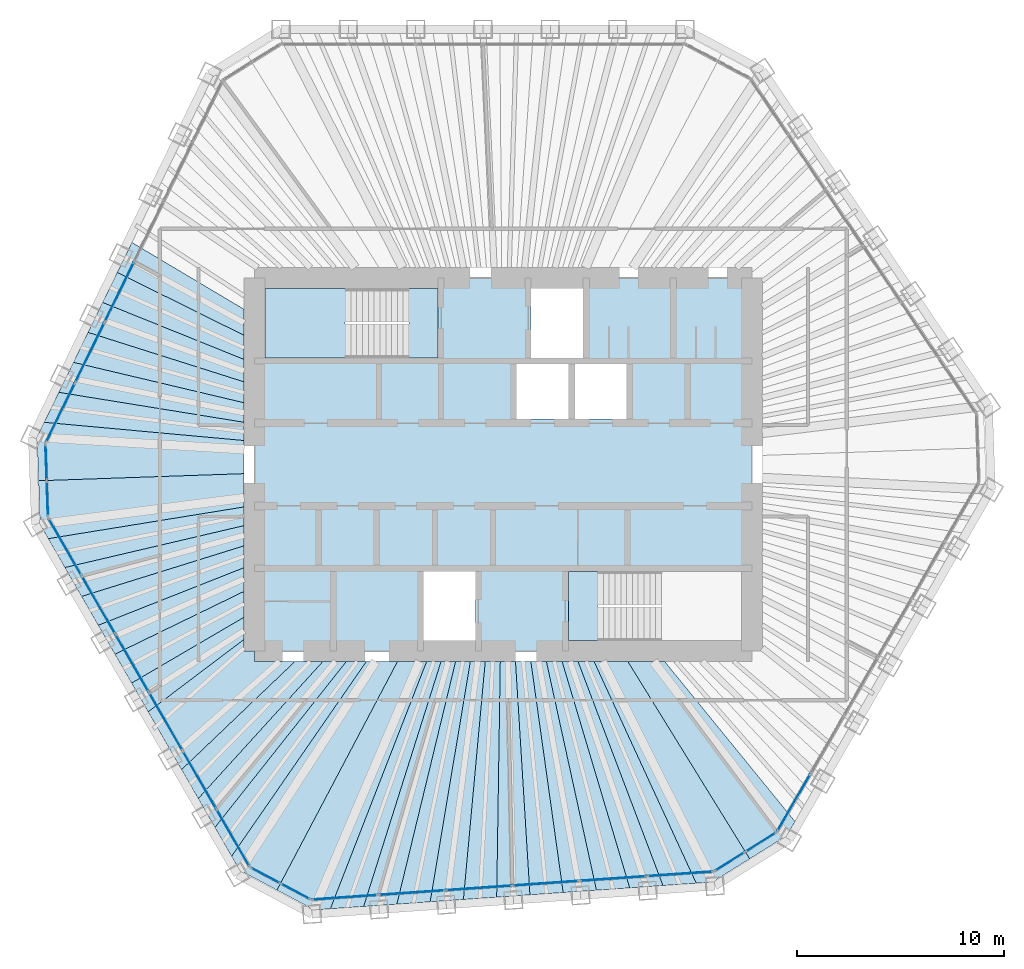
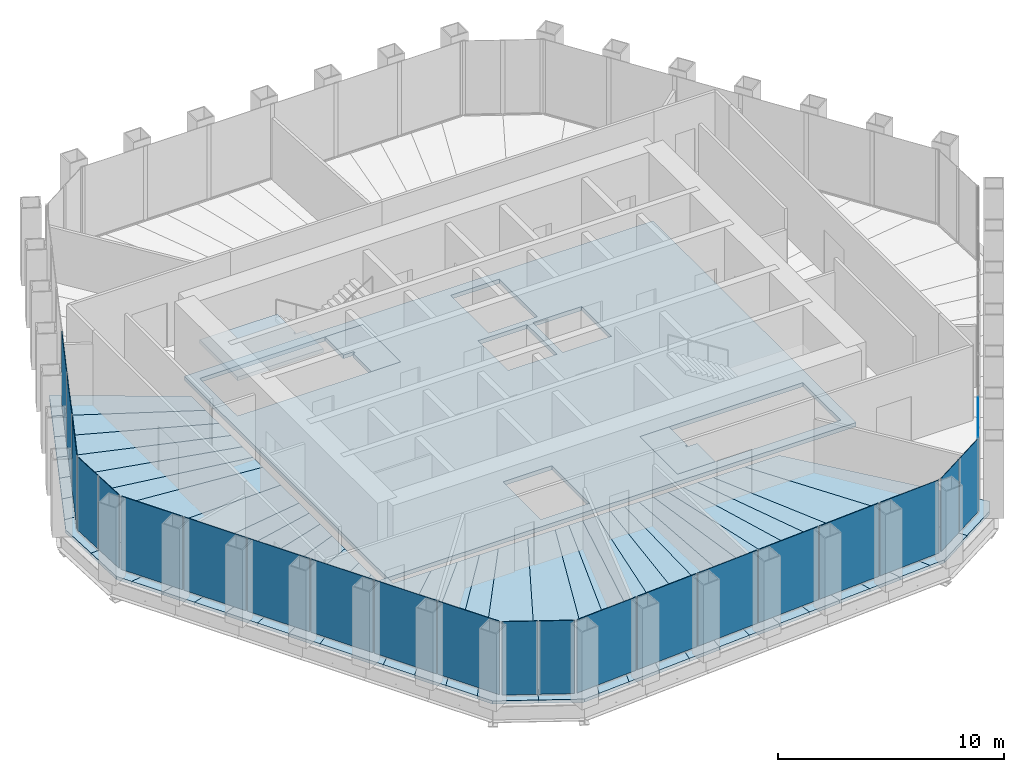
# One storey, part 9 of 14: 37 slabs, 22 plates, 9 elements without a shape of their own.
"""IFC4 building model written with IfcOpenShell, lengths in metres."""

from ifc_helpers import new_model, si_unit, direction, frame, origin, origin_2d, place, context, subcontext, project, spatial, polyline, rectangle, outline, extrude, material, layer, layer_set, type_object, element, aggregate, save


model = new_model("IFC4")

# Units and contexts
model_context = context("Model", 3, precision=1e-05, world=origin(), true_north=direction((0.0, 1.0)))
body_context = subcontext(model_context, "Body", "Model", "MODEL_VIEW")
ifc_project = project(units=[si_unit("LENGTHUNIT", "METRE"), si_unit("AREAUNIT", "SQUARE_METRE"), si_unit("VOLUMEUNIT", "CUBIC_METRE"), si_unit("PLANEANGLEUNIT", "RADIAN"), si_unit("MASSUNIT", "GRAM", prefix="KILO")], contexts=[model_context])

# Site, building, storey
site_placement = place(None, origin())
site = spatial("IfcSite", under=ifc_project, at=site_placement, CompositionType="ELEMENT")
building_placement = place(site_placement, origin())
building = spatial("IfcBuilding", under=site, at=building_placement, Name="Qingtian Harvest Tower", CompositionType="ELEMENT")
storey_placement = place(building_placement, frame((0.0, 0.0, 291.39990234375)))
storey = spatial("IfcBuildingStorey", under=building, at=storey_placement, Name="L64", CompositionType="ELEMENT", Elevation=291.39990234375)

# Slabs
ifc_material_1 = material(Name="Concrete fc' 35 MPa", Category="concrete")
ifc_layer_1 = layer(ifc_material_1, 0.169921875)
ifc_layer_set_1 = layer_set([ifc_layer_1], Name="Composite floor slab FS17 170")
slab_type_1 = type_object("IfcSlabType", Name="Composite floor slab FS17 170", PredefinedType="FLOOR", material=ifc_layer_set_1)
slab_1_placement = place(storey_placement, frame((0.0, 0.0, -0.169921875)))
element("IfcSlab", 1, at=slab_1_placement, inside=storey, type_object=slab_type_1, Name="Floor slab L64 panel D01", PredefinedType="FLOOR", context=body_context, shape_type="SweptSolid", body=[
    extrude(outline(polyline([(-22.422607421875, -0.783203125), (-12.5, -0.4404296875), (-12.5, -2.044921875), (-21.95751953125, -3.578369140625), (-22.348876953125, -2.90087890625), (-22.422607421875, -0.783203125)])), origin(), (0.0, 0.0, 1.0), 0.169921875),
])
slab_2_placement = place(storey_placement, frame((0.0, 0.0, -0.169921875)))
element("IfcSlab", 2, at=slab_2_placement, inside=storey, type_object=slab_type_1, Name="Floor slab L64 panel D02", PredefinedType="FLOOR", context=body_context, shape_type="SweptSolid", body=[
    extrude(outline(polyline([(-12.5, -2.94677734375), (-21.153076171875, -4.9716796875), (-21.95751953125, -3.578369140625), (-12.5, -2.044921875), (-12.5, -2.94677734375)])), origin(), (0.0, 0.0, 1.0), 0.169921875),
])
slab_3_placement = place(storey_placement, frame((0.0, 0.0, -0.169921875)))
element("IfcSlab", 3, at=slab_3_placement, inside=storey, type_object=slab_type_1, Name="Floor slab L64 panel D03", PredefinedType="FLOOR", context=body_context, shape_type="SweptSolid", body=[
    extrude(outline(polyline([(-12.5, -3.919921875), (-20.3486328125, -6.365234375), (-21.153076171875, -4.9716796875), (-12.5, -2.94677734375), (-12.5, -3.919921875)])), origin(), (0.0, 0.0, 1.0), 0.169921875),
])
slab_4_placement = place(storey_placement, frame((0.0, 0.0, -0.169921875)))
element("IfcSlab", 4, at=slab_4_placement, inside=storey, type_object=slab_type_1, Name="Floor slab L64 panel D04", PredefinedType="FLOOR", context=body_context, shape_type="SweptSolid", body=[
    extrude(outline(polyline([(-12.5, -4.973388671875), (-19.544189453125, -7.758544921875), (-20.3486328125, -6.365234375), (-12.5, -3.919921875), (-12.5, -4.973388671875)])), origin(), (0.0, 0.0, 1.0), 0.169921875),
])
slab_5_placement = place(storey_placement, frame((0.0, 0.0, -0.169921875)))
element("IfcSlab", 5, at=slab_5_placement, inside=storey, type_object=slab_type_1, Name="Floor slab L64 panel D05", PredefinedType="FLOOR", context=body_context, shape_type="SweptSolid", body=[
    extrude(outline(polyline([(-12.5, -6.1171875), (-18.73974609375, -9.15185546875), (-19.544189453125, -7.758544921875), (-12.5, -4.973388671875), (-12.5, -6.1171875)])), origin(), (0.0, 0.0, 1.0), 0.169921875),
])
slab_6_placement = place(storey_placement, frame((0.0, 0.0, -0.169921875)))
element("IfcSlab", 6, at=slab_6_placement, inside=storey, type_object=slab_type_1, Name="Floor slab L64 panel D06", PredefinedType="FLOOR", context=body_context, shape_type="SweptSolid", body=[
    extrude(outline(polyline([(-12.5, -7.364013671875), (-17.93505859375, -10.54541015625), (-18.73974609375, -9.15185546875), (-12.5, -6.1171875), (-12.5, -7.364013671875)])), origin(), (0.0, 0.0, 1.0), 0.169921875),
])
slab_7_placement = place(storey_placement, frame((0.0, 0.0, -0.169921875)))
element("IfcSlab", 7, at=slab_7_placement, inside=storey, type_object=slab_type_1, Name="Floor slab L64 panel D07", PredefinedType="FLOOR", context=body_context, shape_type="SweptSolid", body=[
    extrude(outline(polyline([(-12.5, -8.432373046875), (-17.134521484375, -11.931884765625), (-17.93505859375, -10.54541015625), (-12.5, -7.364013671875), (-12.5, -8.432373046875)])), origin(), (0.0, 0.0, 1.0), 0.169921875),
])
slab_8_placement = place(storey_placement, frame((0.0, 0.0, -0.169921875)))
element("IfcSlab", 8, at=slab_8_placement, inside=storey, type_object=slab_type_1, Name="Floor slab L64 panel D09", PredefinedType="FLOOR", context=body_context, shape_type="SweptSolid", body=[
    extrude(outline(polyline([(-15.522216796875, -14.724609375), (-17.134521484375, -11.931884765625), (-12.5, -8.432373046875), (-12.5, -9.0), (-12.0, -9.0), (-12.0, -9.5), (-10.048828125, -9.5), (-15.522216796875, -14.724609375)])), origin(), (0.0, 0.0, 1.0), 0.169921875),
])
slab_9_placement = place(storey_placement, frame((0.0, 0.0, -0.169921875)))
element("IfcSlab", 9, at=slab_9_placement, inside=storey, type_object=slab_type_1, Name="Floor slab L64 panel D10", PredefinedType="FLOOR", context=body_context, shape_type="SweptSolid", body=[
    extrude(outline(polyline([(-8.70068359375, -9.5), (-14.7177734375, -16.1181640625), (-15.522216796875, -14.724609375), (-10.048828125, -9.5), (-8.70068359375, -9.5)])), origin(), (0.0, 0.0, 1.0), 0.169921875),
])
slab_10_placement = place(storey_placement, frame((0.0, 0.0, -0.169921875)))
element("IfcSlab", 10, at=slab_10_placement, inside=storey, type_object=slab_type_1, Name="Floor slab L64 panel D11", PredefinedType="FLOOR", context=body_context, shape_type="SweptSolid", body=[
    extrude(outline(polyline([(-7.568359375, -9.5), (-13.9130859375, -17.51171875), (-14.7177734375, -16.1181640625), (-8.70068359375, -9.5), (-7.568359375, -9.5)])), origin(), (0.0, 0.0, 1.0), 0.169921875),
])
slab_11_placement = place(storey_placement, frame((0.0, 0.0, -0.169921875)))
element("IfcSlab", 11, at=slab_11_placement, inside=storey, type_object=slab_type_1, Name="Floor slab L64 panel D12", PredefinedType="FLOOR", context=body_context, shape_type="SweptSolid", body=[
    extrude(outline(polyline([(-6.603515625, -9.5), (-13.108642578125, -18.905029296875), (-13.9130859375, -17.51171875), (-7.568359375, -9.5), (-6.603515625, -9.5)])), origin(), (0.0, 0.0, 1.0), 0.169921875),
])
slab_12_placement = place(storey_placement, frame((0.0, 0.0, -0.169921875)))
element("IfcSlab", 12, at=slab_12_placement, inside=storey, type_object=slab_type_1, Name="Floor slab L64 panel D13", PredefinedType="FLOOR", context=body_context, shape_type="SweptSolid", body=[
    extrude(outline(polyline([(-6.603515625, -9.5), (-5.10009765625, -9.5), (-10.921142578125, -20.537841796875), (-12.717529296875, -19.582763671875), (-13.108642578125, -18.905029296875), (-6.603515625, -9.5)])), origin(), (0.0, 0.0, 1.0), 0.169921875),
])
slab_13_placement = place(storey_placement, frame((0.0, 0.0, -0.169921875)))
element("IfcSlab", 13, at=slab_13_placement, inside=storey, type_object=slab_type_1, Name="Floor slab L64 panel D14", PredefinedType="FLOOR", context=body_context, shape_type="SweptSolid", body=[
    extrude(outline(polyline([(-5.10009765625, -9.5), (-3.696044921875, -9.5), (-8.343017578125, -21.439208984375), (-9.123291015625, -21.49365234375), (-10.921142578125, -20.537841796875), (-5.10009765625, -9.5)])), origin(), (0.0, 0.0, 1.0), 0.169921875),
])
slab_14_placement = place(storey_placement, frame((0.0, 0.0, -0.169921875)))
element("IfcSlab", 14, at=slab_14_placement, inside=storey, type_object=slab_type_1, Name="Floor slab L64 panel D15", PredefinedType="FLOOR", context=body_context, shape_type="SweptSolid", body=[
    extrude(outline(polyline([(-3.00048828125, -9.5), (-6.738037109375, -21.326904296875), (-8.343017578125, -21.439208984375), (-3.696044921875, -9.5), (-3.00048828125, -9.5)])), origin(), (0.0, 0.0, 1.0), 0.169921875),
])
slab_15_placement = place(storey_placement, frame((0.0, 0.0, -0.169921875)))
element("IfcSlab", 15, at=slab_15_placement, inside=storey, type_object=slab_type_1, Name="Floor slab L64 panel D16", PredefinedType="FLOOR", context=body_context, shape_type="SweptSolid", body=[
    extrude(outline(polyline([(-2.297607421875, -9.5), (-5.133056640625, -21.21484375), (-6.738037109375, -21.326904296875), (-3.00048828125, -9.5), (-2.297607421875, -9.5)])), origin(), (0.0, 0.0, 1.0), 0.169921875),
])
slab_16_placement = place(storey_placement, frame((0.0, 0.0, -0.169921875)))
element("IfcSlab", 16, at=slab_16_placement, inside=storey, type_object=slab_type_1, Name="Floor slab L64 panel D17", PredefinedType="FLOOR", context=body_context, shape_type="SweptSolid", body=[
    extrude(outline(polyline([(-1.58740234375, -9.5), (-3.528076171875, -21.1025390625), (-5.133056640625, -21.21484375), (-2.297607421875, -9.5), (-1.58740234375, -9.5)])), origin(), (0.0, 0.0, 1.0), 0.169921875),
])
slab_17_placement = place(storey_placement, frame((0.0, 0.0, -0.169921875)))
element("IfcSlab", 17, at=slab_17_placement, inside=storey, type_object=slab_type_1, Name="Floor slab L64 panel D18", PredefinedType="FLOOR", context=body_context, shape_type="SweptSolid", body=[
    extrude(outline(polyline([(-0.869384765625, -9.5), (-1.9228515625, -20.990234375), (-3.528076171875, -21.1025390625), (-1.58740234375, -9.5), (-0.869384765625, -9.5)])), origin(), (0.0, 0.0, 1.0), 0.169921875),
])
slab_18_placement = place(storey_placement, frame((0.0, 0.0, -0.169921875)))
element("IfcSlab", 18, at=slab_18_placement, inside=storey, type_object=slab_type_1, Name="Floor slab L64 panel D19", PredefinedType="FLOOR", context=body_context, shape_type="SweptSolid", body=[
    extrude(outline(polyline([(-0.143798828125, -9.5), (-0.31787109375, -20.8779296875), (-1.9228515625, -20.990234375), (-0.869384765625, -9.5), (-0.143798828125, -9.5)])), origin(), (0.0, 0.0, 1.0), 0.169921875),
])
slab_19_placement = place(storey_placement, frame((0.0, 0.0, -0.169921875)))
element("IfcSlab", 19, at=slab_19_placement, inside=storey, type_object=slab_type_1, Name="Floor slab L64 panel D20", PredefinedType="FLOOR", context=body_context, shape_type="SweptSolid", body=[
    extrude(outline(polyline([(0.58984375, -9.5), (1.287109375, -20.765869140625), (-0.31787109375, -20.8779296875), (-0.143798828125, -9.5), (0.58984375, -9.5)])), origin(), (0.0, 0.0, 1.0), 0.169921875),
])
slab_20_placement = place(storey_placement, frame((0.0, 0.0, -0.169921875)))
element("IfcSlab", 20, at=slab_20_placement, inside=storey, type_object=slab_type_1, Name="Floor slab L64 panel D21", PredefinedType="FLOOR", context=body_context, shape_type="SweptSolid", body=[
    extrude(outline(polyline([(1.331298828125, -9.5), (2.89208984375, -20.653564453125), (1.287109375, -20.765869140625), (0.58984375, -9.5), (1.331298828125, -9.5)])), origin(), (0.0, 0.0, 1.0), 0.169921875),
])
slab_21_placement = place(storey_placement, frame((0.0, 0.0, -0.169921875)))
element("IfcSlab", 21, at=slab_21_placement, inside=storey, type_object=slab_type_1, Name="Floor slab L64 panel D22", PredefinedType="FLOOR", context=body_context, shape_type="SweptSolid", body=[
    extrude(outline(polyline([(2.080810546875, -9.5), (4.4970703125, -20.541259765625), (2.89208984375, -20.653564453125), (1.331298828125, -9.5), (2.080810546875, -9.5)])), origin(), (0.0, 0.0, 1.0), 0.169921875),
])
slab_22_placement = place(storey_placement, frame((0.0, 0.0, -0.169921875)))
element("IfcSlab", 22, at=slab_22_placement, inside=storey, type_object=slab_type_1, Name="Floor slab L64 panel D23", PredefinedType="FLOOR", context=body_context, shape_type="SweptSolid", body=[
    extrude(outline(polyline([(2.838623046875, -9.5), (6.10205078125, -20.42919921875), (4.4970703125, -20.541259765625), (2.080810546875, -9.5), (2.838623046875, -9.5)])), origin(), (0.0, 0.0, 1.0), 0.169921875),
])
slab_23_placement = place(storey_placement, frame((0.0, 0.0, -0.169921875)))
element("IfcSlab", 23, at=slab_23_placement, inside=storey, type_object=slab_type_1, Name="Floor slab L64 panel D24", PredefinedType="FLOOR", context=body_context, shape_type="SweptSolid", body=[
    extrude(outline(polyline([(3.604736328125, -9.5), (7.70703125, -20.31689453125), (6.10205078125, -20.42919921875), (2.838623046875, -9.5), (3.604736328125, -9.5)])), origin(), (0.0, 0.0, 1.0), 0.169921875),
])
slab_24_placement = place(storey_placement, frame((0.0, 0.0, -0.169921875)))
element("IfcSlab", 24, at=slab_24_placement, inside=storey, type_object=slab_type_1, Name="Floor slab L64 panel D25", PredefinedType="FLOOR", context=body_context, shape_type="SweptSolid", body=[
    extrude(outline(polyline([(4.379638671875, -9.5), (9.312255859375, -20.20458984375), (7.70703125, -20.31689453125), (3.604736328125, -9.5), (4.379638671875, -9.5)])), origin(), (0.0, 0.0, 1.0), 0.169921875),
])
slab_25_placement = place(storey_placement, frame((0.0, 0.0, -0.169921875)))
element("IfcSlab", 25, at=slab_25_placement, inside=storey, type_object=slab_type_1, Name="Floor slab L64 panel D26", PredefinedType="FLOOR", context=body_context, shape_type="SweptSolid", body=[
    extrude(outline(polyline([(4.379638671875, -9.5), (6.0087890625, -9.5), (11.890380859375, -19.026611328125), (10.09228515625, -20.150146484375), (9.312255859375, -20.20458984375), (4.379638671875, -9.5)])), origin(), (0.0, 0.0, 1.0), 0.169921875),
])
slab_26_placement = place(storey_placement, frame((0.0, 0.0, -0.169921875)))
element("IfcSlab", 26, at=slab_26_placement, inside=storey, type_object=slab_type_1, Name="Floor slab L64 panel D27", PredefinedType="FLOOR", context=body_context, shape_type="SweptSolid", body=[
    extrude(outline(polyline([(6.0087890625, -9.5), (7.78515625, -9.5), (14.077880859375, -17.2265625), (13.6865234375, -17.904296875), (11.890380859375, -19.026611328125), (6.0087890625, -9.5)])), origin(), (0.0, 0.0, 1.0), 0.169921875),
])
slab_27_placement = place(storey_placement, frame((0.0, 0.0, -0.169921875)))
element("IfcSlab", 27, at=slab_27_placement, inside=storey, type_object=slab_type_1, Name="Floor slab L64 panel D72", PredefinedType="FLOOR", context=body_context, shape_type="SweptSolid", body=[
    extrude(outline(polyline([(-12.5, 6.23095703125), (-18.627197265625, 9.2685546875), (-17.921875, 10.714599609375), (-12.5, 7.48583984375), (-12.5, 6.23095703125)])), origin(), (0.0, 0.0, 1.0), 0.169921875),
])
slab_28_placement = place(storey_placement, frame((0.0, 0.0, -0.169921875)))
element("IfcSlab", 28, at=slab_28_placement, inside=storey, type_object=slab_type_1, Name="Floor slab L64 panel D73", PredefinedType="FLOOR", context=body_context, shape_type="SweptSolid", body=[
    extrude(outline(polyline([(-12.5, 5.06787109375), (-19.33251953125, 7.822509765625), (-18.627197265625, 9.2685546875), (-12.5, 6.23095703125), (-12.5, 5.06787109375)])), origin(), (0.0, 0.0, 1.0), 0.169921875),
])
slab_29_placement = place(storey_placement, frame((0.0, 0.0, -0.169921875)))
element("IfcSlab", 29, at=slab_29_placement, inside=storey, type_object=slab_type_1, Name="Floor slab L64 panel D74", PredefinedType="FLOOR", context=body_context, shape_type="SweptSolid", body=[
    extrude(outline(polyline([(-12.5, 3.986572265625), (-20.037841796875, 6.376220703125), (-19.33251953125, 7.822509765625), (-12.5, 5.06787109375), (-12.5, 3.986572265625)])), origin(), (0.0, 0.0, 1.0), 0.169921875),
])
slab_30_placement = place(storey_placement, frame((0.0, 0.0, -0.169921875)))
element("IfcSlab", 30, at=slab_30_placement, inside=storey, type_object=slab_type_1, Name="Floor slab L64 panel D75", PredefinedType="FLOOR", context=body_context, shape_type="SweptSolid", body=[
    extrude(outline(polyline([(-12.5, 2.97900390625), (-20.7431640625, 4.93017578125), (-20.037841796875, 6.376220703125), (-12.5, 3.986572265625), (-12.5, 2.97900390625)])), origin(), (0.0, 0.0, 1.0), 0.169921875),
])
slab_31_placement = place(storey_placement, frame((0.0, 0.0, -0.169921875)))
element("IfcSlab", 31, at=slab_31_placement, inside=storey, type_object=slab_type_1, Name="Floor slab L64 panel D76", PredefinedType="FLOOR", context=body_context, shape_type="SweptSolid", body=[
    extrude(outline(polyline([(-12.5, 2.037841796875), (-21.448486328125, 3.484130859375), (-20.7431640625, 4.93017578125), (-12.5, 2.97900390625), (-12.5, 2.037841796875)])), origin(), (0.0, 0.0, 1.0), 0.169921875),
])
slab_32_placement = place(storey_placement, frame((0.0, 0.0, -0.169921875)))
element("IfcSlab", 32, at=slab_32_placement, inside=storey, type_object=slab_type_1, Name="Floor slab L64 panel D77", PredefinedType="FLOOR", context=body_context, shape_type="SweptSolid", body=[
    extrude(outline(polyline([(-12.5, 1.156494140625), (-22.15380859375, 2.037841796875), (-21.448486328125, 3.484130859375), (-12.5, 2.037841796875), (-12.5, 1.156494140625)])), origin(), (0.0, 0.0, 1.0), 0.169921875),
])
slab_33_placement = place(storey_placement, frame((0.0, 0.0, -0.169921875)))
element("IfcSlab", 33, at=slab_33_placement, inside=storey, type_object=slab_type_1, Name="Floor slab L64 panel D78", PredefinedType="FLOOR", context=body_context, shape_type="SweptSolid", body=[
    extrude(outline(polyline([(-12.5, 1.156494140625), (-12.5, -0.4404296875), (-22.422607421875, -0.783203125), (-22.49658203125, 1.334716796875), (-22.15380859375, 2.037841796875), (-12.5, 1.156494140625)])), origin(), (0.0, 0.0, 1.0), 0.169921875),
])
ifc_material_2 = material(Name="Concrete fc' 35 MPa", Category="concrete")
ifc_layer_2 = layer(ifc_material_2, 0.219970703125)
ifc_layer_set_2 = layer_set([ifc_layer_2], Name="Core floor slab CS22 220")
slab_type_2 = type_object("IfcSlabType", Name="Core floor slab CS22 220", PredefinedType="FLOOR", material=ifc_layer_set_2)
slab_34_placement = place(storey_placement, frame((0.0, 0.0, -0.219970703125)))
element("IfcSlab", 34, at=slab_34_placement, inside=storey, type_object=slab_type_2, Name="Core floor slab L64", PredefinedType="FLOOR", context=body_context, shape_type="SweptSolid", body=[
    extrude(outline(polyline([(-12.0, -9.0), (12.0, -9.0), (12.0, 9.0), (-12.0, 9.0), (-12.0, -9.0)]), holes=[polyline([(-11.5, 5.14990234375), (-3.14990234375, 5.14990234375), (-3.14990234375, 8.5), (-11.5, 8.5), (-11.5, 5.14990234375)]), polyline([(3.14990234375, -8.5), (11.5, -8.5), (11.5, -5.14990234375), (3.14990234375, -5.14990234375), (3.14990234375, -8.5)]), polyline([(1.35009765625, 5.14990234375), (3.85009765625, 5.14990234375), (3.85009765625, 8.5), (1.35009765625, 8.5), (1.35009765625, 5.14990234375)]), polyline([(-3.85009765625, -8.5), (-1.35009765625, -8.5), (-1.35009765625, -5.14990234375), (-3.85009765625, -5.14990234375), (-3.85009765625, -8.5)]), polyline([(0.64990234375, 2.199951171875), (3.14990234375, 2.199951171875), (3.14990234375, 4.85009765625), (0.64990234375, 4.85009765625), (0.64990234375, 2.199951171875)]), polyline([(3.449951171875, 2.199951171875), (5.949951171875, 2.199951171875), (5.949951171875, 4.85009765625), (3.449951171875, 4.85009765625), (3.449951171875, 2.199951171875)])]), origin(), (0.0, 0.0, 1.0), 0.219970703125),
])

# Curtain wall, plate
ifc_material_3 = material(Name="Bronze-anodised aluminium curtain wall", Category="aluminium")
curtain_wall_type = type_object("IfcCurtainWallType", Name="Curtain wall CW5 upper office", PredefinedType="USERDEFINED", material=ifc_material_3)
curtain_wall_1_placement = place(storey_placement, origin())
curtain_wall_1 = element("IfcCurtainWall", 35, at=curtain_wall_1_placement, inside=storey, type_object=curtain_wall_type, Name="Curtain wall CW5 L64 SE0-5", ObjectType="RECESSED CURTAIN WALL", PredefinedType="USERDEFINED")
ifc_material_4 = material(Name="Bronze-tinted laminated insulating glass", Category="glass")
ifc_layer_3 = layer(ifc_material_4, 0.030029296875)
ifc_layer_set_3 = layer_set([ifc_layer_3], Name="Glazed panel CWP tinted IGU")
plate_type = type_object("IfcPlateType", Name="Glazed panel CWP tinted IGU", PredefinedType="CURTAIN_PANEL", material=ifc_layer_set_3)
plate_1_placement = place(storey_placement, frame((14.017578125, -16.321044921875, 0.06494140625), z_axis=(0.0, 0.0, 1.0), x_axis=(-0.5, -0.866025403784, 0.0)))
plate_1 = element("IfcPlate", 36, at=plate_1_placement, type_object=plate_type, Name="CW5 panel 6.1", PredefinedType="CURTAIN_PANEL", context=body_context, shape_type="SweptSolid", body=[
    extrude(rectangle(XDim=3.150634765625, YDim=0.030029296875, at=origin_2d()), origin(), (0.0, 0.0, 1.0), 3.965087890625),
])
aggregate(curtain_wall_1, [plate_1])

# Curtain wall, plates
curtain_wall_2_placement = place(storey_placement, origin())
curtain_wall_2 = element("IfcCurtainWall", 37, at=curtain_wall_2_placement, inside=storey, type_object=curtain_wall_type, Name="Curtain wall CW5 L64 SEC", ObjectType="RECESSED CURTAIN WALL", PredefinedType="USERDEFINED")
plate_2_placement = place(storey_placement, frame((12.42431640625, -18.224609375, 0.06494140625), z_axis=(0.0, 0.0, 1.0), x_axis=(-0.848048096156, -0.529919264233, 0.0)))
plate_2 = element("IfcPlate", 38, at=plate_2_placement, type_object=plate_type, Name="CW5 panel 1.1", PredefinedType="CURTAIN_PANEL", context=body_context, shape_type="SweptSolid", body=[
    extrude(rectangle(XDim=1.69287109375, YDim=0.030029296875, at=origin_2d()), origin(), (0.0, 0.0, 1.0), 3.965087890625),
])
plate_3_placement = place(storey_placement, frame((10.93359375, -19.156005859375, 0.06494140625), z_axis=(0.0, 0.0, 1.0), x_axis=(-0.848048096156, -0.529919264233, 0.0)))
plate_3 = element("IfcPlate", 39, at=plate_3_placement, type_object=plate_type, Name="CW5 panel 2.1", PredefinedType="CURTAIN_PANEL", context=body_context, shape_type="SweptSolid", body=[
    extrude(rectangle(XDim=1.69287109375, YDim=0.030029296875, at=origin_2d()), origin(), (0.0, 0.0, 1.0), 3.965087890625),
])
aggregate(curtain_wall_2, [plate_2, plate_3])

curtain_wall_3_placement = place(storey_placement, origin())
curtain_wall_3 = element("IfcCurtainWall", 40, at=curtain_wall_3_placement, inside=storey, type_object=curtain_wall_type, Name="Curtain wall CW5 L64 S0-5", ObjectType="RECESSED CURTAIN WALL", PredefinedType="USERDEFINED")
plate_4_placement = place(storey_placement, frame((8.5244140625, -19.75341796875, 0.06494140625), z_axis=(0.0, 0.0, 1.0), x_axis=(-0.99756405026, -0.069756473744, 0.0)))
plate_4 = element("IfcPlate", 41, at=plate_4_placement, type_object=plate_type, Name="CW5 panel 1.1", PredefinedType="CURTAIN_PANEL", context=body_context, shape_type="SweptSolid", body=[
    extrude(rectangle(XDim=3.150634765625, YDim=0.030029296875, at=origin_2d()), origin(), (0.0, 0.0, 1.0), 3.965087890625),
])
plate_5_placement = place(storey_placement, frame((5.300537109375, -19.97900390625, 0.06494140625), z_axis=(0.0, 0.0, 1.0), x_axis=(-0.99756405026, -0.069756473744, 0.0)))
plate_5 = element("IfcPlate", 42, at=plate_5_placement, type_object=plate_type, Name="CW5 panel 2.1", PredefinedType="CURTAIN_PANEL", context=body_context, shape_type="SweptSolid", body=[
    extrude(rectangle(XDim=3.18310546875, YDim=0.030029296875, at=origin_2d()), origin(), (0.0, 0.0, 1.0), 3.965087890625),
])
plate_6_placement = place(storey_placement, frame((2.060302734375, -20.20556640625, 0.06494140625), z_axis=(0.0, 0.0, 1.0), x_axis=(-0.99756405026, -0.069756473744, 0.0)))
plate_6 = element("IfcPlate", 43, at=plate_6_placement, type_object=plate_type, Name="CW5 panel 3.1", PredefinedType="CURTAIN_PANEL", context=body_context, shape_type="SweptSolid", body=[
    extrude(rectangle(XDim=3.18310546875, YDim=0.030029296875, at=origin_2d()), origin(), (0.0, 0.0, 1.0), 3.965087890625),
])
plate_7_placement = place(storey_placement, frame((-1.1796875, -20.43212890625, 0.06494140625), z_axis=(0.0, 0.0, 1.0), x_axis=(-0.99756405026, -0.069756473744, 0.0)))
plate_7 = element("IfcPlate", 44, at=plate_7_placement, type_object=plate_type, Name="CW5 panel 4.1", PredefinedType="CURTAIN_PANEL", context=body_context, shape_type="SweptSolid", body=[
    extrude(rectangle(XDim=3.18310546875, YDim=0.030029296875, at=origin_2d()), origin(), (0.0, 0.0, 1.0), 3.965087890625),
])
plate_8_placement = place(storey_placement, frame((-4.419921875, -20.65869140625, 0.06494140625), z_axis=(0.0, 0.0, 1.0), x_axis=(-0.99756405026, -0.069756473744, 0.0)))
plate_8 = element("IfcPlate", 45, at=plate_8_placement, type_object=plate_type, Name="CW5 panel 5.1", PredefinedType="CURTAIN_PANEL", context=body_context, shape_type="SweptSolid", body=[
    extrude(rectangle(XDim=3.18310546875, YDim=0.030029296875, at=origin_2d()), origin(), (0.0, 0.0, 1.0), 3.965087890625),
])
plate_9_placement = place(storey_placement, frame((-7.643798828125, -20.884033203125, 0.06494140625), z_axis=(0.0, 0.0, 1.0), x_axis=(-0.99756405026, -0.069756473744, 0.0)))
plate_9 = element("IfcPlate", 46, at=plate_9_placement, type_object=plate_type, Name="CW5 panel 6.1", PredefinedType="CURTAIN_PANEL", context=body_context, shape_type="SweptSolid", body=[
    extrude(rectangle(XDim=3.150634765625, YDim=0.030029296875, at=origin_2d()), origin(), (0.0, 0.0, 1.0), 3.965087890625),
])
aggregate(curtain_wall_3, [plate_4, plate_5, plate_6, plate_7, plate_8, plate_9])

curtain_wall_4_placement = place(storey_placement, origin())
curtain_wall_4 = element("IfcCurtainWall", 47, at=curtain_wall_4_placement, inside=storey, type_object=curtain_wall_type, Name="Curtain wall CW5 L64 SC", ObjectType="RECESSED CURTAIN WALL", PredefinedType="USERDEFINED")
plate_10_placement = place(storey_placement, frame((-10.029296875, -20.60009765625, 0.06494140625), z_axis=(0.0, 0.0, 1.0), x_axis=(-0.882947592859, 0.469471562786, 0.0)))
plate_10 = element("IfcPlate", 48, at=plate_10_placement, type_object=plate_type, Name="CW5 panel 1.1", PredefinedType="CURTAIN_PANEL", context=body_context, shape_type="SweptSolid", body=[
    extrude(rectangle(XDim=1.56689453125, YDim=0.030029296875, at=origin_2d()), origin(), (0.0, 0.0, 1.0), 3.965087890625),
])
plate_11_placement = place(storey_placement, frame((-11.469970703125, -19.833984375, 0.06494140625), z_axis=(0.0, 0.0, 1.0), x_axis=(-0.882947592859, 0.469471562786, 0.0)))
plate_11 = element("IfcPlate", 49, at=plate_11_placement, type_object=plate_type, Name="CW5 panel 2.1", PredefinedType="CURTAIN_PANEL", context=body_context, shape_type="SweptSolid", body=[
    extrude(rectangle(XDim=1.56689453125, YDim=0.030029296875, at=origin_2d()), origin(), (0.0, 0.0, 1.0), 3.965087890625),
])
aggregate(curtain_wall_4, [plate_10, plate_11])

curtain_wall_5_placement = place(storey_placement, origin())
curtain_wall_5 = element("IfcCurtainWall", 50, at=curtain_wall_5_placement, inside=storey, type_object=curtain_wall_type, Name="Curtain wall CW5 L64 SW0-5", ObjectType="RECESSED CURTAIN WALL", PredefinedType="USERDEFINED")
plate_12_placement = place(storey_placement, frame((-13.039306640625, -18.01513671875, 0.06494140625), z_axis=(0.0, 0.0, 1.0), x_axis=(-0.5, 0.866025403784, 0.0)))
plate_12 = element("IfcPlate", 51, at=plate_12_placement, type_object=plate_type, Name="CW5 panel 1.1", PredefinedType="CURTAIN_PANEL", context=body_context, shape_type="SweptSolid", body=[
    extrude(rectangle(XDim=3.150634765625, YDim=0.030029296875, at=origin_2d()), origin(), (0.0, 0.0, 1.0), 3.965087890625),
])
plate_13_placement = place(storey_placement, frame((-14.6552734375, -15.216552734375, 0.06494140625), z_axis=(0.0, 0.0, 1.0), x_axis=(-0.5, 0.866025403784, 0.0)))
plate_13 = element("IfcPlate", 52, at=plate_13_placement, type_object=plate_type, Name="CW5 panel 2.1", PredefinedType="CURTAIN_PANEL", context=body_context, shape_type="SweptSolid", body=[
    extrude(rectangle(XDim=3.18310546875, YDim=0.030029296875, at=origin_2d()), origin(), (0.0, 0.0, 1.0), 3.965087890625),
])
plate_14_placement = place(storey_placement, frame((-16.279296875, -12.403564453125, 0.06494140625), z_axis=(0.0, 0.0, 1.0), x_axis=(-0.5, 0.866025403784, 0.0)))
plate_14 = element("IfcPlate", 53, at=plate_14_placement, type_object=plate_type, Name="CW5 panel 3.1", PredefinedType="CURTAIN_PANEL", context=body_context, shape_type="SweptSolid", body=[
    extrude(rectangle(XDim=3.18310546875, YDim=0.030029296875, at=origin_2d()), origin(), (0.0, 0.0, 1.0), 3.965087890625),
])
plate_15_placement = place(storey_placement, frame((-17.9033203125, -9.590576171875, 0.06494140625), z_axis=(0.0, 0.0, 1.0), x_axis=(-0.5, 0.866025403784, 0.0)))
plate_15 = element("IfcPlate", 54, at=plate_15_placement, type_object=plate_type, Name="CW5 panel 4.1", PredefinedType="CURTAIN_PANEL", context=body_context, shape_type="SweptSolid", body=[
    extrude(rectangle(XDim=3.18310546875, YDim=0.030029296875, at=origin_2d()), origin(), (0.0, 0.0, 1.0), 3.965087890625),
])
plate_16_placement = place(storey_placement, frame((-19.52734375, -6.77783203125, 0.06494140625), z_axis=(0.0, 0.0, 1.0), x_axis=(-0.5, 0.866025403784, 0.0)))
plate_16 = element("IfcPlate", 55, at=plate_16_placement, type_object=plate_type, Name="CW5 panel 5.1", PredefinedType="CURTAIN_PANEL", context=body_context, shape_type="SweptSolid", body=[
    extrude(rectangle(XDim=3.18310546875, YDim=0.030029296875, at=origin_2d()), origin(), (0.0, 0.0, 1.0), 3.965087890625),
])
plate_17_placement = place(storey_placement, frame((-21.14306640625, -3.97900390625, 0.06494140625), z_axis=(0.0, 0.0, 1.0), x_axis=(-0.5, 0.866025403784, 0.0)))
plate_17 = element("IfcPlate", 56, at=plate_17_placement, type_object=plate_type, Name="CW5 panel 6.1", PredefinedType="CURTAIN_PANEL", context=body_context, shape_type="SweptSolid", body=[
    extrude(rectangle(XDim=3.150634765625, YDim=0.030029296875, at=origin_2d()), origin(), (0.0, 0.0, 1.0), 3.965087890625),
])
aggregate(curtain_wall_5, [plate_12, plate_13, plate_14, plate_15, plate_16, plate_17])

curtain_wall_6_placement = place(storey_placement, origin())
curtain_wall_6 = element("IfcCurtainWall", 57, at=curtain_wall_6_placement, inside=storey, type_object=curtain_wall_type, Name="Curtain wall CW5 L64 SWC", ObjectType="RECESSED CURTAIN WALL", PredefinedType="USERDEFINED")
plate_18_placement = place(storey_placement, frame((-21.9951171875, -1.647705078125, 0.06494140625), z_axis=(0.0, 0.0, 1.0), x_axis=(-0.034899496703, 0.999390827019, 0.0)))
plate_18 = element("IfcPlate", 58, at=plate_18_placement, type_object=plate_type, Name="CW5 panel 1.1", PredefinedType="CURTAIN_PANEL", context=body_context, shape_type="SweptSolid", body=[
    extrude(rectangle(XDim=1.69287109375, YDim=0.030029296875, at=origin_2d()), origin(), (0.0, 0.0, 1.0), 3.965087890625),
])
plate_19_placement = place(storey_placement, frame((-22.056396484375, 0.109375, 0.06494140625), z_axis=(0.0, 0.0, 1.0), x_axis=(-0.034899496703, 0.999390827019, 0.0)))
plate_19 = element("IfcPlate", 59, at=plate_19_placement, type_object=plate_type, Name="CW5 panel 2.1", PredefinedType="CURTAIN_PANEL", context=body_context, shape_type="SweptSolid", body=[
    extrude(rectangle(XDim=1.69287109375, YDim=0.030029296875, at=origin_2d()), origin(), (0.0, 0.0, 1.0), 3.965087890625),
])
aggregate(curtain_wall_6, [plate_18, plate_19])

curtain_wall_7_placement = place(storey_placement, origin())
curtain_wall_7 = element("IfcCurtainWall", 60, at=curtain_wall_7_placement, inside=storey, type_object=curtain_wall_type, Name="Curtain wall CW5 L64 NW0-5", ObjectType="RECESSED CURTAIN WALL", PredefinedType="USERDEFINED")
plate_20_placement = place(storey_placement, frame((-21.369140625, 2.494384765625, 0.06494140625), z_axis=(0.0, 0.0, 1.0), x_axis=(0.438371146789, 0.898794046299, 0.0)))
plate_20 = element("IfcPlate", 61, at=plate_20_placement, type_object=plate_type, Name="CW5 panel 1.1", PredefinedType="CURTAIN_PANEL", context=body_context, shape_type="SweptSolid", body=[
    extrude(rectangle(XDim=3.150634765625, YDim=0.030029296875, at=origin_2d()), origin(), (0.0, 0.0, 1.0), 3.965087890625),
])
plate_21_placement = place(storey_placement, frame((-19.952392578125, 5.399169921875, 0.06494140625), z_axis=(0.0, 0.0, 1.0), x_axis=(0.438371146789, 0.898794046299, 0.0)))
plate_21 = element("IfcPlate", 62, at=plate_21_placement, type_object=plate_type, Name="CW5 panel 2.1", PredefinedType="CURTAIN_PANEL", context=body_context, shape_type="SweptSolid", body=[
    extrude(rectangle(XDim=3.18310546875, YDim=0.030029296875, at=origin_2d()), origin(), (0.0, 0.0, 1.0), 3.965087890625),
])
plate_22_placement = place(storey_placement, frame((-18.528564453125, 8.318359375, 0.06494140625), z_axis=(0.0, 0.0, 1.0), x_axis=(0.438371146789, 0.898794046299, 0.0)))
plate_22 = element("IfcPlate", 63, at=plate_22_placement, type_object=plate_type, Name="CW5 panel 3.1", PredefinedType="CURTAIN_PANEL", context=body_context, shape_type="SweptSolid", body=[
    extrude(rectangle(XDim=3.18310546875, YDim=0.030029296875, at=origin_2d()), origin(), (0.0, 0.0, 1.0), 3.965087890625),
])
aggregate(curtain_wall_7, [plate_20, plate_21, plate_22])

# Stair, slabs
ifc_material_5 = material(Name="Concrete fc' 35 MPa", Category="concrete")
stair_type = type_object("IfcStairType", Name="Special stair ST6 4200", PredefinedType="HALF_TURN_STAIR", material=ifc_material_5)
stair_1_placement = place(storey_placement, origin())
stair_1 = element("IfcStair", 64, at=stair_1_placement, inside=storey, type_object=stair_type, Name="Special stair S1 L64", PredefinedType="HALF_TURN_STAIR")
ifc_material_6 = material(Name="Concrete fc' 35 MPa", Category="concrete")
ifc_layer_4 = layer(ifc_material_6, 0.199951171875)
ifc_layer_set_4 = layer_set([ifc_layer_4], Name="Stair landing SL2 200")
slab_type_3 = type_object("IfcSlabType", Name="Stair landing SL2 200", PredefinedType="LANDING", material=ifc_layer_set_4)
slab_35_placement = place(storey_placement, frame((0.0, 0.0, -0.199951171875)))
slab_35 = element("IfcSlab", 65, at=slab_35_placement, type_object=slab_type_3, Name="S1 landing 1", PredefinedType="LANDING", context=body_context, shape_type="SweptSolid", body=[
    extrude(outline(polyline([(-4.64990234375, 5.14990234375), (-4.64990234375, 6.77490234375), (-4.550048828125, 6.77490234375), (-4.550048828125, 6.875), (-5.0849609375, 6.875), (-5.0849609375, 8.5), (-3.14990234375, 8.5), (-3.14990234375, 5.14990234375), (-4.64990234375, 5.14990234375)])), origin(), (0.0, 0.0, 1.0), 0.199951171875),
])
slab_36_placement = place(storey_placement, frame((0.0, 0.0, 1.900146484375)))
slab_36 = element("IfcSlab", 66, at=slab_36_placement, type_object=slab_type_3, Name="S1 landing 2", PredefinedType="LANDING", context=body_context, shape_type="SweptSolid", body=[
    extrude(outline(polyline([(-7.094970703125, 5.14990234375), (-11.5, 5.14990234375), (-11.5, 8.5), (-7.530029296875, 8.5), (-7.530029296875, 6.875), (-7.6298828125, 6.875), (-7.6298828125, 6.77490234375), (-7.094970703125, 6.77490234375), (-7.094970703125, 5.14990234375)])), origin(), (0.0, 0.0, 1.0), 0.199951171875),
])
aggregate(stair_1, [slab_35, slab_36])

# Stair, slab
stair_2_placement = place(storey_placement, origin())
stair_2 = element("IfcStair", 67, at=stair_2_placement, inside=storey, type_object=stair_type, Name="Special stair S2 L64", PredefinedType="HALF_TURN_STAIR")
slab_37_placement = place(storey_placement, frame((0.0, 0.0, -0.199951171875)))
slab_37 = element("IfcSlab", 68, at=slab_37_placement, type_object=slab_type_3, Name="S2 landing 1", PredefinedType="LANDING", context=body_context, shape_type="SweptSolid", body=[
    extrude(outline(polyline([(5.0849609375, -8.5), (3.14990234375, -8.5), (3.14990234375, -5.14990234375), (4.64990234375, -5.14990234375), (4.64990234375, -6.77490234375), (4.550048828125, -6.77490234375), (4.550048828125, -6.875), (5.0849609375, -6.875), (5.0849609375, -8.5)])), origin(), (0.0, 0.0, 1.0), 0.199951171875),
])
aggregate(stair_2, [slab_37])

save(model, "model.ifc")
